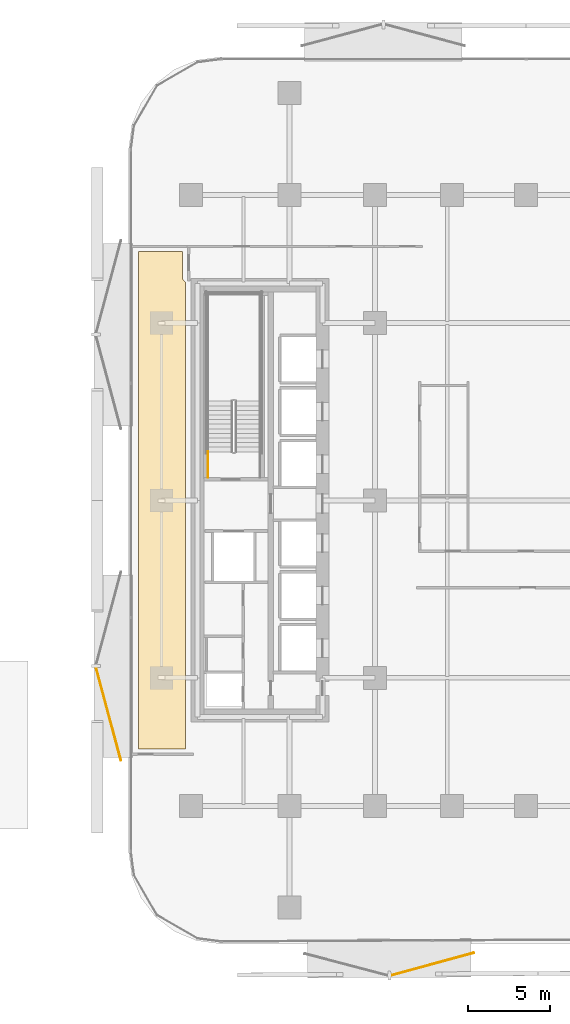
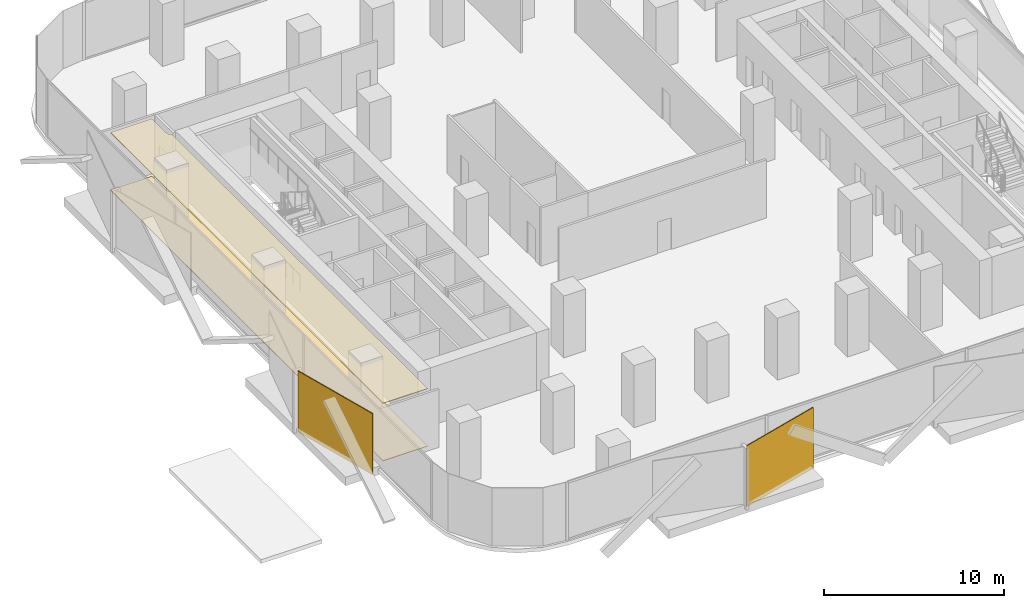
# One storey, part 11 of 16: 4 coverings, 1 railing.
"""IFC4 building model written with IfcOpenShell, lengths in metres."""

from ifc_helpers import new_model, si_unit, direction, frame, origin, origin_2d, place, context, subcontext, project, spatial, polyline, rectangle, circle, outline, extrude, material, layer, layer_set, type_object, element, save


model = new_model("IFC4")

# Units and contexts
model_context = context("Model", 3, precision=1e-05, world=origin(), true_north=direction((0.0, 1.0)))
body_context = subcontext(model_context, "Body", "Model", "MODEL_VIEW")
ifc_project = project(units=[si_unit("LENGTHUNIT", "METRE"), si_unit("AREAUNIT", "SQUARE_METRE"), si_unit("VOLUMEUNIT", "CUBIC_METRE"), si_unit("PLANEANGLEUNIT", "RADIAN"), si_unit("MASSUNIT", "GRAM", prefix="KILO")], contexts=[model_context])

# Site, building, storey
site_placement = place(None, origin())
site = spatial("IfcSite", under=ifc_project, at=site_placement, CompositionType="ELEMENT")
building_placement = place(site_placement, origin())
building = spatial("IfcBuilding", under=site, at=building_placement, Name="Khairoan Windgate Tower", CompositionType="ELEMENT")
storey_placement = place(building_placement, frame((0.0, 0.0, 26.0)))
storey = spatial("IfcBuildingStorey", under=building, at=storey_placement, Name="L06", CompositionType="ELEMENT", Elevation=26.0)

# Coverings
ifc_material_1 = material(Name="Engineered Teak Timber", Category="wood")
ifc_layer_1 = layer(ifc_material_1, 0.0400390625, Name="Engineered Teak Timber")
ifc_layer_set_1 = layer_set([ifc_layer_1], Name="Engineered Teak Timber")
covering_type_1 = type_object("IfcCoveringType", Name="Engineered Teak Residence Flooring", PredefinedType="FLOORING", material=ifc_layer_set_1)
covering_1_placement = place(storey_placement, origin())
element("IfcCovering", 1, at=covering_1_placement, inside=storey, type_object=covering_type_1, Name="L06 L06 West Flank Office Finish Flooring", PredefinedType="FLOORING", context=body_context, shape_type="SweptSolid", body=[
    extrude(outline(polyline([(-23.60009765625, 15.14990234375), (-20.929931640625, 15.14990234375), (-20.929931640625, 13.60009765625), (-20.9296875, 13.587158203125), (-20.92919921875, 13.579345703125), (-20.92724609375, 13.557373046875), (-20.926025390625, 13.549560546875), (-20.9208984375, 13.523681640625), (-20.919189453125, 13.51611328125), (-20.91162109375, 13.4912109375), (-20.90869140625, 13.483642578125), (-20.900634765625, 13.464111328125), (-20.897216796875, 13.456787109375), (-20.8837890625, 13.431884765625), (-20.879638671875, 13.425048828125), (-20.867919921875, 13.40771484375), (-20.86328125, 13.401123046875), (-20.847900390625, 13.38232421875), (-20.8427734375, 13.37646484375), (-20.823486328125, 13.357421875), (-20.817626953125, 13.35205078125), (-20.798828125, 13.336669921875), (-20.79248046875, 13.33203125), (-20.77490234375, 13.3203125), (-20.768310546875, 13.316162109375), (-20.7431640625, 13.302734375), (-20.736083984375, 13.29931640625), (-20.72998046875, 13.296875), (-20.72998046875, -15.14990234375), (-23.60009765625, -15.14990234375), (-23.60009765625, 15.14990234375)])), origin(), (0.0, 0.0, 1.0), 0.0400390625),
])
ifc_material_2 = material(Name="Acoustic Mineral Fibre Ceiling", Category="gypsum")
ifc_layer_2 = layer(ifc_material_2, 0.0400390625, Name="Acoustic Mineral Fibre Ceiling")
ifc_layer_set_2 = layer_set([ifc_layer_2], Name="Acoustic Mineral Fibre Ceiling")
covering_type_2 = type_object("IfcCoveringType", Name="Flush Acoustic Mineral Ceiling Panel", PredefinedType="CEILING", material=ifc_layer_set_2)
covering_2_placement = place(storey_placement, frame((0.0, 0.0, 3.89990234375)))
element("IfcCovering", 2, at=covering_2_placement, inside=storey, type_object=covering_type_2, Name="L06 L06 West Flank Office Acoustic Ceiling", PredefinedType="CEILING", context=body_context, shape_type="SweptSolid", body=[
    extrude(outline(polyline([(-23.60009765625, 15.14990234375), (-20.929931640625, 15.14990234375), (-20.929931640625, 13.60009765625), (-20.9296875, 13.587158203125), (-20.92919921875, 13.579345703125), (-20.92724609375, 13.557373046875), (-20.926025390625, 13.549560546875), (-20.9208984375, 13.523681640625), (-20.919189453125, 13.51611328125), (-20.91162109375, 13.4912109375), (-20.90869140625, 13.483642578125), (-20.900634765625, 13.464111328125), (-20.897216796875, 13.456787109375), (-20.8837890625, 13.431884765625), (-20.879638671875, 13.425048828125), (-20.867919921875, 13.40771484375), (-20.86328125, 13.401123046875), (-20.847900390625, 13.38232421875), (-20.8427734375, 13.37646484375), (-20.823486328125, 13.357421875), (-20.817626953125, 13.35205078125), (-20.798828125, 13.336669921875), (-20.79248046875, 13.33203125), (-20.77490234375, 13.3203125), (-20.768310546875, 13.316162109375), (-20.7431640625, 13.302734375), (-20.736083984375, 13.29931640625), (-20.72998046875, 13.296875), (-20.72998046875, -15.14990234375), (-23.60009765625, -15.14990234375), (-23.60009765625, 15.14990234375)])), origin(), (0.0, 0.0, 1.0), 0.0400390625),
])
ifc_material_3 = material(Name="Anodised Bronze Aluminium 6063-T6", Category="aluminium")
ifc_layer_3 = layer(ifc_material_3, 0.054931640625, Name="Anodised Bronze Aluminium 6063-T6")
ifc_layer_set_3 = layer_set([ifc_layer_3], Name="Anodised Bronze Aluminium 6063-T6")
covering_type_3 = type_object("IfcCoveringType", Name="Perforated Bronze-Ceramic Folded Solar Screen Cladding BSC-1", PredefinedType="CLADDING", material=ifc_layer_set_3)
covering_3_placement = place(storey_placement, frame((-5.70751953125, -28.238037109375, -0.10009765625), z_axis=(0.0, 0.0, 1.0), x_axis=(-0.964649468762, -0.263536339841, 0.0)))
element("IfcCovering", 3, at=covering_3_placement, inside=storey, type_object=covering_type_3, Name="L06 Folded Bronze Solar Screen Facet 2L", PredefinedType="CLADDING", context=body_context, shape_type="SweptSolid", body=[
    extrude(rectangle(XDim=5.25, YDim=0.054931640625, at=origin_2d()), origin(), (0.0, 0.0, 1.0), 4.139892578125),
])
covering_4_placement = place(storey_placement, frame((-25.42236328125, -13.01318359375, -0.10009765625), z_axis=(0.0, 0.0, 1.0), x_axis=(-0.258819045103, 0.965925826289, 0.0)))
element("IfcCovering", 4, at=covering_4_placement, inside=storey, type_object=covering_type_3, Name="L06 Folded Bronze Solar Screen Facet 3L", PredefinedType="CLADDING", context=body_context, shape_type="SweptSolid", body=[
    extrude(rectangle(XDim=5.85498046875, YDim=0.054931640625, at=origin_2d()), origin(), (0.0, 0.0, 1.0), 4.139892578125),
])

# Railing
ifc_material_4 = material(Name="Steel S355", Category="steel")
railing_type = type_object("IfcRailingType", Name="Stairwell Safety Guardrail SGR-1150", PredefinedType="GUARDRAIL", material=ifc_material_4)
railing_placement = place(storey_placement, frame((-19.3701171875, 1.39990234375, 0.0)))
element("IfcRailing", 5, at=railing_placement, inside=storey, type_object=railing_type, Name="L06 ST2 stair guard 9", PredefinedType="GUARDRAIL", context=body_context, shape_type="SweptSolid", body=[
    extrude(circle(Radius=0.02392578125, at=origin_2d()), frame((0.0, 0.0, 1.1259765625), z_axis=(0.0, 1.0, 0.0), x_axis=(-1.0, 0.0, 0.0)), (0.0, 0.0, 1.0), 1.56005859375),
    extrude(circle(Radius=0.02099609375, at=origin_2d()), origin(), (0.0, 0.0, 1.0), 1.101806640625),
    extrude(circle(Radius=0.02099609375, at=origin_2d()), frame((0.0, 0.780029296875, 0.0)), (0.0, 0.0, 1.0), 1.101806640625),
    extrude(circle(Radius=0.02099609375, at=origin_2d()), frame((0.0, 1.56005859375, 0.0)), (0.0, 0.0, 1.0), 1.101806640625),
])

save(model, "model.ifc")
